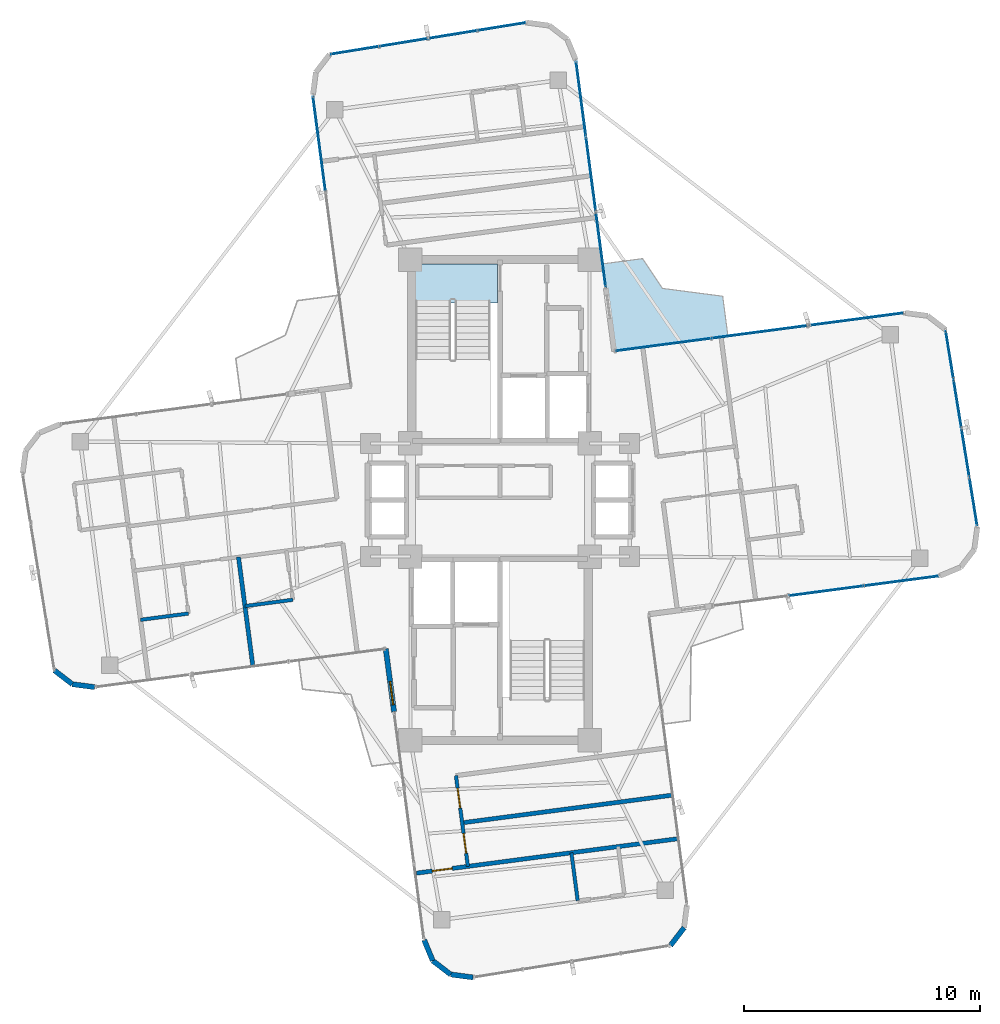
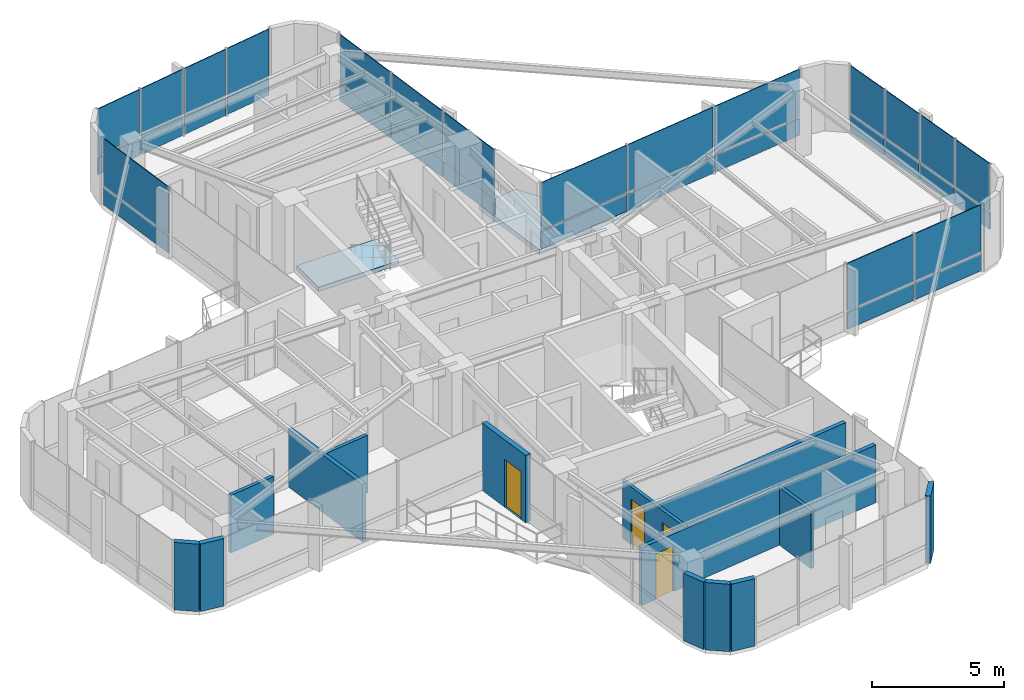
# One storey, part 18 of 22: 34 plates, 14 walls, 4 doors, 2 slabs, 4 openings, 6 elements without a shape of their own.
"""IFC4 building model written with IfcOpenShell, lengths in metres."""

import ifcopenshell
import ifcopenshell.guid

model = None  # the IFC model being written
_history = None  # IfcOwnerHistory: only IFC2X3 demands one
_inside = {}  # id of a spatial element -> (the spatial element, [elements in it])
_under = {}  # id of a project, library or spatial element -> (it, [spatial elements below it])
_declared = {}  # id of a project -> (the project, [libraries it declares])
_typed = {}  # id of a type object -> (the type object, [elements of that type])
_made_of = {}  # id of a material, layer set ... -> (it, [elements and type objects made of it])


def new_model(schema):
    """Start an empty IFC model of exactly this schema.

    Asked for "IFC4X3", IfcOpenShell would pick the latest addendum, in which some entities
    have other attributes; the version numbers below select the first issue.
    IFC2X3 requires an IfcOwnerHistory on every rooted entity: one is made here for all.
    """
    global model, _history
    if schema == "IFC4X3":
        model = ifcopenshell.file(schema_version=(4, 3, 0, 0))
    else:
        model = ifcopenshell.file(schema=schema)
    _inside.clear()
    _under.clear()
    _declared.clear()
    _typed.clear()
    _made_of.clear()
    _history = None
    if model.schema == "IFC2X3":
        org = make("IfcOrganization", Name="unknown")
        user = make(
            "IfcPersonAndOrganization",
            ThePerson=make("IfcPerson", FamilyName="unknown"),
            TheOrganization=org,
        )
        app = make(
            "IfcApplication",
            ApplicationDeveloper=org,
            Version="unknown",
            ApplicationFullName="unknown",
            ApplicationIdentifier="unknown",
        )
        _history = make(
            "IfcOwnerHistory",
            OwningUser=user,
            OwningApplication=app,
            ChangeAction="ADDED",
            CreationDate=0,
        )
    return model


def make(cls, **values):
    """One entity of the class cls with the attributes given. An attribute that is None is left unset."""
    return model.create_entity(
        cls, **{name: value for name, value in values.items() if value is not None}
    )


def rooted(cls, **values):
    """An entity with a GlobalId (a new one), such as an element, a storey or a relation."""
    return make(cls, GlobalId=ifcopenshell.guid.new(), OwnerHistory=_history, **values)


def si_unit(unit_type, name, prefix=None):
    """IfcSIUnit, for example si_unit("LENGTHUNIT", "METRE", prefix="MILLI")."""
    return make("IfcSIUnit", UnitType=unit_type, Prefix=prefix, Name=name)


def assignment(units):
    """IfcUnitAssignment: the units of a project."""
    return None if units is None else make("IfcUnitAssignment", Units=units)


def point(xyz):
    """IfcCartesianPoint."""
    return None if xyz is None else make("IfcCartesianPoint", Coordinates=xyz)


def direction(xyz):
    """IfcDirection."""
    return None if xyz is None else make("IfcDirection", DirectionRatios=xyz)


def frame(location, z_axis=None, x_axis=None):
    """IfcAxis2Placement3D, a coordinate frame: its origin and axes. An axis left out is left unset."""
    return make(
        "IfcAxis2Placement3D",
        Location=point(location),
        Axis=direction(z_axis),
        RefDirection=direction(x_axis),
    )


def frame_2d(location, x_axis=None):
    """IfcAxis2Placement2D, a coordinate frame in the plane: its origin and x axis."""
    return make(
        "IfcAxis2Placement2D", Location=point(location), RefDirection=direction(x_axis)
    )


def origin():
    """The frame at (0, 0, 0) with its axes left unset."""
    return frame((0.0, 0.0, 0.0))


def origin_2d():
    """The frame at (0, 0) in the plane with its x axis left unset."""
    return frame_2d((0.0, 0.0))


def place(relative_to, where):
    """IfcLocalPlacement: puts the frame where relative to a parent placement (None: the world)."""
    return make(
        "IfcLocalPlacement", PlacementRelTo=relative_to, RelativePlacement=where
    )


def context(
    kind, dimensions, precision=None, world=None, true_north=None, identifier=None
):
    """IfcGeometricRepresentationContext, for example the 3D "Model" context."""
    return make(
        "IfcGeometricRepresentationContext",
        ContextIdentifier=identifier,
        ContextType=kind,
        CoordinateSpaceDimension=dimensions,
        Precision=precision,
        WorldCoordinateSystem=world,
        TrueNorth=true_north,
    )


def subcontext(parent, identifier, kind, view, scale=None):
    """IfcGeometricRepresentationSubContext, for example "Body" below "Model"."""
    return make(
        "IfcGeometricRepresentationSubContext",
        ContextIdentifier=identifier,
        ContextType=kind,
        ParentContext=parent,
        TargetScale=scale,
        TargetView=view,
    )


def project(units=None, contexts=None):
    """IfcProject with its units and contexts."""
    return rooted(
        "IfcProject",
        Name="project",
        RepresentationContexts=contexts,
        UnitsInContext=assignment(units),
    )


def spatial(cls, under=None, at=None, **own):
    """A site, building, storey or space (cls), placed at a placement, below another one or the project."""
    s = rooted(cls, ObjectPlacement=at, **own)
    if under is not None:
        _under.setdefault(under.id(), (under, []))[1].append(s)
    return s


def polyline(points):
    """IfcPolyline through the points."""
    return make("IfcPolyline", Points=[point(p) for p in points])


def profile(cls, at=None, kind="AREA", **sizes):
    """A parametric profile (cls). Its sizes go by their IFC names, for example OverallWidth=200.0."""
    return make(cls, ProfileType=kind, Position=at, **sizes)


def rectangle(**sizes):
    """IfcRectangleProfileDef."""
    return profile("IfcRectangleProfileDef", **sizes)


def outline(outer, holes=None, kind="AREA"):
    """IfcArbitraryClosedProfileDef: a profile drawn as a closed curve; with holes, ...WithVoids."""
    if holes is None:
        return make("IfcArbitraryClosedProfileDef", ProfileType=kind, OuterCurve=outer)
    return make(
        "IfcArbitraryProfileDefWithVoids",
        ProfileType=kind,
        OuterCurve=outer,
        InnerCurves=holes,
    )


def extrude(swept, where, along, depth):
    """IfcExtrudedAreaSolid: the profile swept, set in the frame where, extruded along a direction by depth."""
    return make(
        "IfcExtrudedAreaSolid",
        SweptArea=swept,
        Position=where,
        ExtrudedDirection=direction(along),
        Depth=depth,
    )


def shape(context_of_items, identifier, shape_type, items):
    """IfcShapeRepresentation: the items that make up one representation, for example the "Body"."""
    return make(
        "IfcShapeRepresentation",
        ContextOfItems=context_of_items,
        RepresentationIdentifier=identifier,
        RepresentationType=shape_type,
        Items=items,
    )


def source(mapping_origin, context_of_items, identifier, shape_type, items):
    """IfcRepresentationMap: a shape defined once, which mapped items show again and again."""
    return make(
        "IfcRepresentationMap",
        MappingOrigin=mapping_origin,
        MappedRepresentation=shape(context_of_items, identifier, shape_type, items),
    )


def transform(
    local_origin,
    x_axis=None,
    y_axis=None,
    z_axis=None,
    scale=None,
    scale2=None,
    scale3=None,
    uniform=True,
):
    """IfcCartesianTransformationOperator3D, or its non-uniform kind. x_axis, y_axis, z_axis: its Axis1, 2, 3."""
    if uniform:
        return make(
            "IfcCartesianTransformationOperator3D",
            Axis1=direction(x_axis),
            Axis2=direction(y_axis),
            LocalOrigin=point(local_origin),
            Scale=scale,
            Axis3=direction(z_axis),
        )
    return make(
        "IfcCartesianTransformationOperator3DnonUniform",
        Axis1=direction(x_axis),
        Axis2=direction(y_axis),
        LocalOrigin=point(local_origin),
        Scale=scale,
        Axis3=direction(z_axis),
        Scale2=scale2,
        Scale3=scale3,
    )


def mapped(mapping_source, mapping_target):
    """IfcMappedItem: shows the shape of a source again, moved by a transform."""
    return make(
        "IfcMappedItem", MappingSource=mapping_source, MappingTarget=mapping_target
    )


def material(Name=None, Category=None):
    """IfcMaterial."""
    return make("IfcMaterial", Name=Name, Category=Category)


def layer(
    of_material, thickness, ventilated=None, Name=None, Category=None, Priority=None
):
    """IfcMaterialLayer: one layer of a wall or slab, of a material (None: an air gap)."""
    return make(
        "IfcMaterialLayer",
        Material=of_material,
        LayerThickness=thickness,
        IsVentilated=ventilated,
        Name=Name,
        Category=Category,
        Priority=Priority,
    )


def layer_set(layers, Name=None):
    """IfcMaterialLayerSet."""
    return make("IfcMaterialLayerSet", MaterialLayers=layers, LayerSetName=Name)


def made_of(thing, what):
    """Note that an element or type object is made of a material, layer set ...; save() writes the relation."""
    if what is not None:
        _made_of.setdefault(what.id(), (what, []))[1].append(thing)
    return thing


def type_object(cls, material=None, **own):
    """A type object (cls), such as IfcWallType, which elements share."""
    return made_of(rooted(cls, **own), material)


def element(
    cls,
    number,
    at=None,
    inside=None,
    cuts=None,
    type_object=None,
    material=None,
    context=None,
    identifier="Body",
    shape_type=None,
    held_by="IfcProductDefinitionShape",
    body=None,
    shapes=None,
    **own,
):
    """One element of the class cls, such as IfcWall. Its Tag is "e" and its number.

    at: its placement. inside: the storey or other place that contains it. cuts: it is an
    opening in that element (IfcRelVoidsElement). A single representation is given by context,
    identifier, shape_type and body (its items); several are given by shapes. held_by: the class
    of the entity that holds the representations. save() writes the other relations.
    """
    e = rooted(cls, Tag="e%d" % number, ObjectPlacement=at, **own)
    if body is not None:
        shapes = [shape(context, identifier, shape_type, body)]
    if shapes is not None:
        e.Representation = make(held_by, Representations=shapes)
    if inside is not None:
        _inside.setdefault(inside.id(), (inside, []))[1].append(e)
    if cuts is not None:
        rooted(
            "IfcRelVoidsElement", RelatingBuildingElement=cuts, RelatedOpeningElement=e
        )
    if type_object is not None:
        _typed.setdefault(type_object.id(), (type_object, []))[1].append(e)
    return made_of(e, material)


def fill(opening, filler):
    """IfcRelFillsElement: the door or window that sits in an opening."""
    return rooted(
        "IfcRelFillsElement",
        RelatingOpeningElement=opening,
        RelatedBuildingElement=filler,
    )


def aggregate(whole, parts):
    """IfcRelAggregates: a whole, such as a stair, and the parts it consists of."""
    return rooted("IfcRelAggregates", RelatingObject=whole, RelatedObjects=parts)


def save(model, path):
    """Write the relations noted so far, then the file.

    IfcRelAggregates (storeys below a building ...), IfcRelContainedInSpatialStructure (elements
    in a storey), IfcRelDefinesByType, IfcRelAssociatesMaterial and IfcRelDeclares: one each for
    every whole, place, type object, material and project.
    """
    for whole, parts in _under.values():
        aggregate(whole, parts)
    for where, things in _inside.values():
        rooted(
            "IfcRelContainedInSpatialStructure",
            RelatedElements=things,
            RelatingStructure=where,
        )
    for kind, things in _typed.values():
        rooted("IfcRelDefinesByType", RelatedObjects=things, RelatingType=kind)
    for what, things in _made_of.values():
        rooted("IfcRelAssociatesMaterial", RelatedObjects=things, RelatingMaterial=what)
    for by, libraries in _declared.values():
        rooted("IfcRelDeclares", RelatingContext=by, RelatedDefinitions=libraries)
    model.write(path)


model = new_model("IFC4")

# Units and contexts
model_context = context("Model", 3, precision=1e-05, world=origin(), true_north=direction((0.0, 1.0)))
body_context = subcontext(model_context, "Body", "Model", "MODEL_VIEW")
ifc_project = project(units=[si_unit("LENGTHUNIT", "METRE"), si_unit("AREAUNIT", "SQUARE_METRE"), si_unit("VOLUMEUNIT", "CUBIC_METRE"), si_unit("PLANEANGLEUNIT", "RADIAN"), si_unit("MASSUNIT", "GRAM", prefix="KILO")], contexts=[model_context])

# Site, building, storey
site_placement = place(None, origin())
site = spatial("IfcSite", under=ifc_project, at=site_placement, CompositionType="ELEMENT")
building_placement = place(site_placement, origin())
building = spatial("IfcBuilding", under=site, at=building_placement, Name="Sahyath Konkavel Grand Hotel", CompositionType="ELEMENT")
storey_placement = place(building_placement, frame((0.0, 0.0, 234.449951171875)))
storey = spatial("IfcBuildingStorey", under=building, at=storey_placement, Name="L65", CompositionType="ELEMENT", Elevation=234.449951171875)

# Slabs
ifc_material_1 = material(Name="Concrete C40/50", Category="concrete")
ifc_layer_1 = layer(ifc_material_1, 0.219970703125)
ifc_layer_set_1 = layer_set([ifc_layer_1], Name="Concrete C40/50")
slab_type_1 = type_object("IfcSlabType", Name="SLB-BALCONY-220", PredefinedType="FLOOR", material=ifc_layer_set_1)
slab_1_placement = place(storey_placement, frame((0.0, 0.0, -0.219970703125)))
element("IfcSlab", 1, at=slab_1_placement, inside=storey, type_object=slab_type_1, Name="L65 Winter-Garden Balcony NE", PredefinedType="FLOOR", context=body_context, shape_type="SweptSolid", body=[
    extrude(outline(polyline([(4.84619140625, 6.315673828125), (9.67041015625, 6.95068359375), (9.447509765625, 8.644775390625), (6.88916015625, 8.97802734375), (6.052734375, 10.240478515625), (4.358642578125, 10.017578125), (4.84619140625, 6.315673828125)])), origin(), (0.0, 0.0, 1.0), 0.219970703125),
])
ifc_layer_2 = layer(ifc_material_1, 0.199951171875)
ifc_layer_set_2 = layer_set([ifc_layer_2], Name="Concrete C40/50")
slab_type_2 = type_object("IfcSlabType", Name="SLB-STAIR-LND", PredefinedType="LANDING", material=ifc_layer_set_2)
slab_2_placement = place(storey_placement, frame((0.0, 0.0, -0.199951171875)))
element("IfcSlab", 2, at=slab_2_placement, inside=storey, type_object=slab_type_2, Name="L65 Stair ST-1 Floor Landing Slab", PredefinedType="LANDING", context=body_context, shape_type="SweptSolid", body=[
    extrude(outline(polyline([(-3.6201171875, 8.35009765625), (-0.10009765625, 8.35009765625), (-0.10009765625, 10.02001953125), (-3.6201171875, 10.02001953125), (-3.6201171875, 8.35009765625)])), origin(), (0.0, 0.0, 1.0), 0.199951171875),
])

# Curtain wall, plates
ifc_material_2 = material(Name="Anodised Bronze Aluminium & Low-E Glazing", Category="aluminium")
curtain_wall_type = type_object("IfcCurtainWallType", Name="CW-ZONE4", PredefinedType="NOTDEFINED", material=ifc_material_2)
curtain_wall_1_placement = place(storey_placement, origin())
curtain_wall_1 = element("IfcCurtainWall", 3, at=curtain_wall_1_placement, inside=storey, type_object=curtain_wall_type, Name="L65 Unitised Curtain Wall F0", PredefinedType="NOTDEFINED")
ifc_material_3 = material(Name="Warm Buff Sandstone Cladding", Category="masonry")
ifc_layer_3 = layer(ifc_material_3, 0.074951171875)
ifc_layer_set_3 = layer_set([ifc_layer_3], Name="Warm Buff Sandstone Cladding")
plate_type_1 = type_object("IfcPlateType", Name="PNL-SPANDREL-STONE", PredefinedType="SHEET", material=ifc_layer_set_3)
shared_shape_1 = source(origin(), body_context, "Body", "SweptSolid", [
    extrude(rectangle(XDim=3.144775390625, YDim=0.074951171875, at=origin_2d()), origin(), (0.0, 0.0, 1.0), 0.77001953125),
])
plate_1_placement = place(storey_placement, frame((13.82763671875, -3.857177734375, 0.0400390625), z_axis=(0.0, 0.0, 1.0), x_axis=(0.991444861374, 0.13052619222, 0.0)))
plate_1 = element("IfcPlate", 4, at=plate_1_placement, type_object=plate_type_1, Name="L65 Sandstone Relief Spandrel Panel F0-1", PredefinedType="SHEET", context=body_context, shape_type="MappedRepresentation", body=[
    mapped(shared_shape_1, transform((0.0, 0.0, 0.0), scale=1.0)),
])
plate_2_placement = place(storey_placement, frame((17.02490234375, -3.43603515625, 0.0400390625), z_axis=(0.0, 0.0, 1.0), x_axis=(0.991444861374, 0.13052619222, 0.0)))
plate_2 = element("IfcPlate", 5, at=plate_2_placement, type_object=plate_type_1, Name="L65 Sandstone Relief Spandrel Panel F0-2", PredefinedType="SHEET", context=body_context, shape_type="MappedRepresentation", body=[
    mapped(shared_shape_1, transform((0.0, 0.0, 0.0), scale=1.0)),
])

curtain_wall_2_placement = place(storey_placement, origin())
curtain_wall_2 = element("IfcCurtainWall", 6, at=curtain_wall_2_placement, inside=storey, type_object=curtain_wall_type, Name="L65 Unitised Curtain Wall F8", PredefinedType="NOTDEFINED")
plate_3_placement = place(storey_placement, frame((4.278076171875, 10.630615234375, 0.0400390625), z_axis=(0.0, 0.0, 1.0), x_axis=(-0.13052619222, 0.991444861374, 0.0)))
plate_3 = element("IfcPlate", 7, at=plate_3_placement, type_object=plate_type_1, Name="L65 Sandstone Relief Spandrel Panel F8-0", PredefinedType="SHEET", context=body_context, shape_type="MappedRepresentation", body=[
    mapped(shared_shape_1, transform((0.0, 0.0, 0.0), scale=1.0)),
])
plate_4_placement = place(storey_placement, frame((3.857177734375, 13.82763671875, 0.0400390625), z_axis=(0.0, 0.0, 1.0), x_axis=(-0.13052619222, 0.991444861374, 0.0)))
plate_4 = element("IfcPlate", 8, at=plate_4_placement, type_object=plate_type_1, Name="L65 Sandstone Relief Spandrel Panel F8-1", PredefinedType="SHEET", context=body_context, shape_type="MappedRepresentation", body=[
    mapped(shared_shape_1, transform((0.0, 0.0, 0.0), scale=1.0)),
])
plate_5_placement = place(storey_placement, frame((3.43603515625, 17.02490234375, 0.0400390625), z_axis=(0.0, 0.0, 1.0), x_axis=(-0.13052619222, 0.991444861374, 0.0)))
plate_5 = element("IfcPlate", 9, at=plate_5_placement, type_object=plate_type_1, Name="L65 Sandstone Relief Spandrel Panel F8-2", PredefinedType="SHEET", context=body_context, shape_type="MappedRepresentation", body=[
    mapped(shared_shape_1, transform((0.0, 0.0, 0.0), scale=1.0)),
])

# Plate
ifc_material_4 = material(Name="Low-E Solar Control Double Glazing", Category="glass")
ifc_layer_4 = layer(ifc_material_4, 0.035888671875)
ifc_layer_set_4 = layer_set([ifc_layer_4], Name="Low-E Solar Control Double Glazing")
plate_type_2 = type_object("IfcPlateType", Name="PNL-VISION-LOWE", PredefinedType="CURTAIN_PANEL", material=ifc_layer_set_4)
shared_shape_2 = source(origin(), body_context, "Body", "SweptSolid", [
    extrude(rectangle(XDim=3.144775390625, YDim=0.035888671875, at=origin_2d()), origin(), (0.0, 0.0, 1.0), 2.179931640625),
])
plate_6_placement = place(storey_placement, frame((13.82763671875, -3.857177734375, 0.89013671875), z_axis=(0.0, 0.0, 1.0), x_axis=(0.991444861374, 0.13052619222, 0.0)))
plate_6 = element("IfcPlate", 10, at=plate_6_placement, type_object=plate_type_2, Name="L65 Low-E Vision Glazing Panel F0-1", PredefinedType="CURTAIN_PANEL", context=body_context, shape_type="MappedRepresentation", body=[
    mapped(shared_shape_2, transform((0.0, 0.0, 0.0), scale=1.0)),
])

plate_7_placement = place(storey_placement, frame((17.02490234375, -3.43603515625, 0.89013671875), z_axis=(0.0, 0.0, 1.0), x_axis=(0.991444861374, 0.13052619222, 0.0)))
plate_7 = element("IfcPlate", 11, at=plate_7_placement, type_object=plate_type_2, Name="L65 Low-E Vision Glazing Panel F0-2", PredefinedType="CURTAIN_PANEL", context=body_context, shape_type="MappedRepresentation", body=[
    mapped(shared_shape_2, transform((0.0, 0.0, 0.0), scale=1.0)),
])

aggregate(curtain_wall_1, [plate_1, plate_6, plate_2, plate_7])

plate_8_placement = place(storey_placement, frame((4.278076171875, 10.630615234375, 0.89013671875), z_axis=(0.0, 0.0, 1.0), x_axis=(-0.13052619222, 0.991444861374, 0.0)))
plate_8 = element("IfcPlate", 12, at=plate_8_placement, type_object=plate_type_2, Name="L65 Low-E Vision Glazing Panel F8-0", PredefinedType="CURTAIN_PANEL", context=body_context, shape_type="MappedRepresentation", body=[
    mapped(shared_shape_2, transform((0.0, 0.0, 0.0), scale=1.0)),
])

plate_9_placement = place(storey_placement, frame((3.857177734375, 13.82763671875, 0.89013671875), z_axis=(0.0, 0.0, 1.0), x_axis=(-0.13052619222, 0.991444861374, 0.0)))
plate_9 = element("IfcPlate", 13, at=plate_9_placement, type_object=plate_type_2, Name="L65 Low-E Vision Glazing Panel F8-1", PredefinedType="CURTAIN_PANEL", context=body_context, shape_type="MappedRepresentation", body=[
    mapped(shared_shape_2, transform((0.0, 0.0, 0.0), scale=1.0)),
])

plate_10_placement = place(storey_placement, frame((3.43603515625, 17.02490234375, 0.89013671875), z_axis=(0.0, 0.0, 1.0), x_axis=(-0.13052619222, 0.991444861374, 0.0)))
plate_10 = element("IfcPlate", 14, at=plate_10_placement, type_object=plate_type_2, Name="L65 Low-E Vision Glazing Panel F8-2", PredefinedType="CURTAIN_PANEL", context=body_context, shape_type="MappedRepresentation", body=[
    mapped(shared_shape_2, transform((0.0, 0.0, 0.0), scale=1.0)),
])

aggregate(curtain_wall_2, [plate_3, plate_8, plate_4, plate_9, plate_5, plate_10])

# Curtain wall, plates
curtain_wall_3_placement = place(storey_placement, origin())
curtain_wall_3 = element("IfcCurtainWall", 15, at=curtain_wall_3_placement, inside=storey, type_object=curtain_wall_type, Name="L65 Unitised Curtain Wall F4", PredefinedType="NOTDEFINED")
shared_shape_3 = source(origin(), body_context, "Body", "SweptSolid", [
    extrude(rectangle(XDim=2.021728515625, YDim=0.074951171875, at=origin_2d()), origin(), (0.0, 0.0, 1.0), 0.77001953125),
])
plate_11_placement = place(storey_placement, frame((20.081787109375, -0.068115234375, 0.0400390625), z_axis=(0.0, 0.0, 1.0), x_axis=(-0.159433223018, 0.987208715216, 0.0)))
plate_11 = element("IfcPlate", 16, at=plate_11_placement, type_object=plate_type_1, Name="L65 Sandstone Relief Spandrel Panel F4-0", PredefinedType="SHEET", context=body_context, shape_type="MappedRepresentation", body=[
    mapped(shared_shape_3, transform((0.0, 0.0, 0.0), scale=1.0)),
])
plate_12_placement = place(storey_placement, frame((19.74658203125, 2.0068359375, 0.0400390625), z_axis=(0.0, 0.0, 1.0), x_axis=(-0.159433223018, 0.987208715216, 0.0)))
plate_12 = element("IfcPlate", 17, at=plate_12_placement, type_object=plate_type_1, Name="L65 Sandstone Relief Spandrel Panel F4-1", PredefinedType="SHEET", context=body_context, shape_type="MappedRepresentation", body=[
    mapped(shared_shape_3, transform((0.0, 0.0, 0.0), scale=1.0)),
])
plate_13_placement = place(storey_placement, frame((19.41162109375, 4.08154296875, 0.0400390625), z_axis=(0.0, 0.0, 1.0), x_axis=(-0.159433223018, 0.987208715216, 0.0)))
plate_13 = element("IfcPlate", 18, at=plate_13_placement, type_object=plate_type_1, Name="L65 Sandstone Relief Spandrel Panel F4-2", PredefinedType="SHEET", context=body_context, shape_type="MappedRepresentation", body=[
    mapped(shared_shape_3, transform((0.0, 0.0, 0.0), scale=1.0)),
])
plate_14_placement = place(storey_placement, frame((19.07666015625, 6.15625, 0.0400390625), z_axis=(0.0, 0.0, 1.0), x_axis=(-0.159433223018, 0.987208715216, 0.0)))
plate_14 = element("IfcPlate", 19, at=plate_14_placement, type_object=plate_type_1, Name="L65 Sandstone Relief Spandrel Panel F4-3", PredefinedType="SHEET", context=body_context, shape_type="MappedRepresentation", body=[
    mapped(shared_shape_3, transform((0.0, 0.0, 0.0), scale=1.0)),
])

curtain_wall_4_placement = place(storey_placement, origin())
curtain_wall_4 = element("IfcCurtainWall", 20, at=curtain_wall_4_placement, inside=storey, type_object=curtain_wall_type, Name="L65 Unitised Curtain Wall F12", PredefinedType="NOTDEFINED")
plate_15_placement = place(storey_placement, frame((0.068115234375, 20.081787109375, 0.0400390625), z_axis=(0.0, 0.0, 1.0), x_axis=(-0.987208715216, -0.159433223018, 0.0)))
plate_15 = element("IfcPlate", 21, at=plate_15_placement, type_object=plate_type_1, Name="L65 Sandstone Relief Spandrel Panel F12-0", PredefinedType="SHEET", context=body_context, shape_type="MappedRepresentation", body=[
    mapped(shared_shape_3, transform((0.0, 0.0, 0.0), scale=1.0)),
])
plate_16_placement = place(storey_placement, frame((-2.0068359375, 19.74658203125, 0.0400390625), z_axis=(0.0, 0.0, 1.0), x_axis=(-0.987208715216, -0.159433223018, 0.0)))
plate_16 = element("IfcPlate", 22, at=plate_16_placement, type_object=plate_type_1, Name="L65 Sandstone Relief Spandrel Panel F12-1", PredefinedType="SHEET", context=body_context, shape_type="MappedRepresentation", body=[
    mapped(shared_shape_3, transform((0.0, 0.0, 0.0), scale=1.0)),
])
plate_17_placement = place(storey_placement, frame((-4.08154296875, 19.41162109375, 0.0400390625), z_axis=(0.0, 0.0, 1.0), x_axis=(-0.987208715216, -0.159433223018, 0.0)))
plate_17 = element("IfcPlate", 23, at=plate_17_placement, type_object=plate_type_1, Name="L65 Sandstone Relief Spandrel Panel F12-2", PredefinedType="SHEET", context=body_context, shape_type="MappedRepresentation", body=[
    mapped(shared_shape_3, transform((0.0, 0.0, 0.0), scale=1.0)),
])
plate_18_placement = place(storey_placement, frame((-6.15625, 19.07666015625, 0.0400390625), z_axis=(0.0, 0.0, 1.0), x_axis=(-0.987208715216, -0.159433223018, 0.0)))
plate_18 = element("IfcPlate", 24, at=plate_18_placement, type_object=plate_type_1, Name="L65 Sandstone Relief Spandrel Panel F12-3", PredefinedType="SHEET", context=body_context, shape_type="MappedRepresentation", body=[
    mapped(shared_shape_3, transform((0.0, 0.0, 0.0), scale=1.0)),
])

# Plate
shared_shape_4 = source(origin(), body_context, "Body", "SweptSolid", [
    extrude(rectangle(XDim=2.021728515625, YDim=0.035888671875, at=origin_2d()), origin(), (0.0, 0.0, 1.0), 2.179931640625),
])
plate_19_placement = place(storey_placement, frame((20.081787109375, -0.068115234375, 0.89013671875), z_axis=(0.0, 0.0, 1.0), x_axis=(-0.159433223018, 0.987208715216, 0.0)))
plate_19 = element("IfcPlate", 25, at=plate_19_placement, type_object=plate_type_2, Name="L65 Low-E Vision Glazing Panel F4-0", PredefinedType="CURTAIN_PANEL", context=body_context, shape_type="MappedRepresentation", body=[
    mapped(shared_shape_4, transform((0.0, 0.0, 0.0), scale=1.0)),
])

plate_20_placement = place(storey_placement, frame((19.74658203125, 2.0068359375, 0.89013671875), z_axis=(0.0, 0.0, 1.0), x_axis=(-0.159433223018, 0.987208715216, 0.0)))
plate_20 = element("IfcPlate", 26, at=plate_20_placement, type_object=plate_type_2, Name="L65 Low-E Vision Glazing Panel F4-1", PredefinedType="CURTAIN_PANEL", context=body_context, shape_type="MappedRepresentation", body=[
    mapped(shared_shape_4, transform((0.0, 0.0, 0.0), scale=1.0)),
])

plate_21_placement = place(storey_placement, frame((19.41162109375, 4.08154296875, 0.89013671875), z_axis=(0.0, 0.0, 1.0), x_axis=(-0.159433223018, 0.987208715216, 0.0)))
plate_21 = element("IfcPlate", 27, at=plate_21_placement, type_object=plate_type_2, Name="L65 Low-E Vision Glazing Panel F4-2", PredefinedType="CURTAIN_PANEL", context=body_context, shape_type="MappedRepresentation", body=[
    mapped(shared_shape_4, transform((0.0, 0.0, 0.0), scale=1.0)),
])

plate_22_placement = place(storey_placement, frame((19.07666015625, 6.15625, 0.89013671875), z_axis=(0.0, 0.0, 1.0), x_axis=(-0.159433223018, 0.987208715216, 0.0)))
plate_22 = element("IfcPlate", 28, at=plate_22_placement, type_object=plate_type_2, Name="L65 Low-E Vision Glazing Panel F4-3", PredefinedType="CURTAIN_PANEL", context=body_context, shape_type="MappedRepresentation", body=[
    mapped(shared_shape_4, transform((0.0, 0.0, 0.0), scale=1.0)),
])

aggregate(curtain_wall_3, [plate_11, plate_19, plate_12, plate_20, plate_13, plate_21, plate_14, plate_22])

plate_23_placement = place(storey_placement, frame((0.068115234375, 20.081787109375, 0.89013671875), z_axis=(0.0, 0.0, 1.0), x_axis=(-0.987208715216, -0.159433223018, 0.0)))
plate_23 = element("IfcPlate", 29, at=plate_23_placement, type_object=plate_type_2, Name="L65 Low-E Vision Glazing Panel F12-0", PredefinedType="CURTAIN_PANEL", context=body_context, shape_type="MappedRepresentation", body=[
    mapped(shared_shape_4, transform((0.0, 0.0, 0.0), scale=1.0)),
])

plate_24_placement = place(storey_placement, frame((-2.0068359375, 19.74658203125, 0.89013671875), z_axis=(0.0, 0.0, 1.0), x_axis=(-0.987208715216, -0.159433223018, 0.0)))
plate_24 = element("IfcPlate", 30, at=plate_24_placement, type_object=plate_type_2, Name="L65 Low-E Vision Glazing Panel F12-1", PredefinedType="CURTAIN_PANEL", context=body_context, shape_type="MappedRepresentation", body=[
    mapped(shared_shape_4, transform((0.0, 0.0, 0.0), scale=1.0)),
])

plate_25_placement = place(storey_placement, frame((-4.08154296875, 19.41162109375, 0.89013671875), z_axis=(0.0, 0.0, 1.0), x_axis=(-0.987208715216, -0.159433223018, 0.0)))
plate_25 = element("IfcPlate", 31, at=plate_25_placement, type_object=plate_type_2, Name="L65 Low-E Vision Glazing Panel F12-2", PredefinedType="CURTAIN_PANEL", context=body_context, shape_type="MappedRepresentation", body=[
    mapped(shared_shape_4, transform((0.0, 0.0, 0.0), scale=1.0)),
])

plate_26_placement = place(storey_placement, frame((-6.15625, 19.07666015625, 0.89013671875), z_axis=(0.0, 0.0, 1.0), x_axis=(-0.987208715216, -0.159433223018, 0.0)))
plate_26 = element("IfcPlate", 32, at=plate_26_placement, type_object=plate_type_2, Name="L65 Low-E Vision Glazing Panel F12-3", PredefinedType="CURTAIN_PANEL", context=body_context, shape_type="MappedRepresentation", body=[
    mapped(shared_shape_4, transform((0.0, 0.0, 0.0), scale=1.0)),
])

aggregate(curtain_wall_4, [plate_15, plate_23, plate_16, plate_24, plate_17, plate_25, plate_18, plate_26])

# Curtain wall, plates
curtain_wall_5_placement = place(storey_placement, origin())
curtain_wall_5 = element("IfcCurtainWall", 33, at=curtain_wall_5_placement, inside=storey, type_object=curtain_wall_type, Name="L65 Unitised Curtain Wall F7", PredefinedType="NOTDEFINED")
shared_shape_5 = source(origin(), body_context, "Body", "SweptSolid", [
    extrude(rectangle(XDim=4.044677734375, YDim=0.074951171875, at=origin_2d()), origin(), (0.0, 0.0, 1.0), 0.77001953125),
])
plate_27_placement = place(storey_placement, frame((15.109130859375, 7.666748046875, 0.0400390625), z_axis=(0.0, 0.0, 1.0), x_axis=(-0.991444861374, -0.13052619222, 0.0)))
plate_27 = element("IfcPlate", 34, at=plate_27_placement, type_object=plate_type_1, Name="L65 Sandstone Relief Spandrel Panel F7-0", PredefinedType="SHEET", context=body_context, shape_type="MappedRepresentation", body=[
    mapped(shared_shape_5, transform((0.0, 0.0, 0.0), scale=1.0)),
])
plate_28_placement = place(storey_placement, frame((11.019775390625, 7.12841796875, 0.0400390625), z_axis=(0.0, 0.0, 1.0), x_axis=(-0.991444861374, -0.13052619222, 0.0)))
plate_28 = element("IfcPlate", 35, at=plate_28_placement, type_object=plate_type_1, Name="L65 Sandstone Relief Spandrel Panel F7-1", PredefinedType="SHEET", context=body_context, shape_type="MappedRepresentation", body=[
    mapped(shared_shape_5, transform((0.0, 0.0, 0.0), scale=1.0)),
])
plate_29_placement = place(storey_placement, frame((6.930419921875, 6.590087890625, 0.0400390625), z_axis=(0.0, 0.0, 1.0), x_axis=(-0.991444861374, -0.13052619222, 0.0)))
plate_29 = element("IfcPlate", 36, at=plate_29_placement, type_object=plate_type_1, Name="L65 Sandstone Relief Spandrel Panel F7-2", PredefinedType="SHEET", context=body_context, shape_type="MappedRepresentation", body=[
    mapped(shared_shape_5, transform((0.0, 0.0, 0.0), scale=1.0)),
])

# Curtain wall, plate
curtain_wall_6_placement = place(storey_placement, origin())
curtain_wall_6 = element("IfcCurtainWall", 37, at=curtain_wall_6_placement, inside=storey, type_object=curtain_wall_type, Name="L65 Unitised Curtain Wall F15", PredefinedType="NOTDEFINED")
plate_30_placement = place(storey_placement, frame((-7.666748046875, 15.109130859375, 0.0400390625), z_axis=(0.0, 0.0, 1.0), x_axis=(0.13052619222, -0.991444861374, 0.0)))
plate_30 = element("IfcPlate", 38, at=plate_30_placement, type_object=plate_type_1, Name="L65 Sandstone Relief Spandrel Panel F15-0", PredefinedType="SHEET", context=body_context, shape_type="MappedRepresentation", body=[
    mapped(shared_shape_5, transform((0.0, 0.0, 0.0), scale=1.0)),
])

# Plate
shared_shape_6 = source(origin(), body_context, "Body", "SweptSolid", [
    extrude(rectangle(XDim=4.044677734375, YDim=0.035888671875, at=origin_2d()), origin(), (0.0, 0.0, 1.0), 2.179931640625),
])
plate_31_placement = place(storey_placement, frame((15.109130859375, 7.666748046875, 0.89013671875), z_axis=(0.0, 0.0, 1.0), x_axis=(-0.991444861374, -0.13052619222, 0.0)))
plate_31 = element("IfcPlate", 39, at=plate_31_placement, type_object=plate_type_2, Name="L65 Low-E Vision Glazing Panel F7-0", PredefinedType="CURTAIN_PANEL", context=body_context, shape_type="MappedRepresentation", body=[
    mapped(shared_shape_6, transform((0.0, 0.0, 0.0), scale=1.0)),
])

plate_32_placement = place(storey_placement, frame((11.019775390625, 7.12841796875, 0.89013671875), z_axis=(0.0, 0.0, 1.0), x_axis=(-0.991444861374, -0.13052619222, 0.0)))
plate_32 = element("IfcPlate", 40, at=plate_32_placement, type_object=plate_type_2, Name="L65 Low-E Vision Glazing Panel F7-1", PredefinedType="CURTAIN_PANEL", context=body_context, shape_type="MappedRepresentation", body=[
    mapped(shared_shape_6, transform((0.0, 0.0, 0.0), scale=1.0)),
])

plate_33_placement = place(storey_placement, frame((6.930419921875, 6.590087890625, 0.89013671875), z_axis=(0.0, 0.0, 1.0), x_axis=(-0.991444861374, -0.13052619222, 0.0)))
plate_33 = element("IfcPlate", 41, at=plate_33_placement, type_object=plate_type_2, Name="L65 Low-E Vision Glazing Panel F7-2", PredefinedType="CURTAIN_PANEL", context=body_context, shape_type="MappedRepresentation", body=[
    mapped(shared_shape_6, transform((0.0, 0.0, 0.0), scale=1.0)),
])

aggregate(curtain_wall_5, [plate_27, plate_31, plate_28, plate_32, plate_29, plate_33])

plate_34_placement = place(storey_placement, frame((-7.666748046875, 15.109130859375, 0.89013671875), z_axis=(0.0, 0.0, 1.0), x_axis=(0.13052619222, -0.991444861374, 0.0)))
plate_34 = element("IfcPlate", 42, at=plate_34_placement, type_object=plate_type_2, Name="L65 Low-E Vision Glazing Panel F15-0", PredefinedType="CURTAIN_PANEL", context=body_context, shape_type="MappedRepresentation", body=[
    mapped(shared_shape_6, transform((0.0, 0.0, 0.0), scale=1.0)),
])

aggregate(curtain_wall_6, [plate_30, plate_34])

# Walls
ifc_material_5 = material(Name="Warm Buff Sandstone Insulated Concrete C40/50", Category="masonry")
ifc_layer_5 = layer(ifc_material_5, 0.219970703125)
ifc_layer_set_5 = layer_set([ifc_layer_5], Name="Warm Buff Sandstone Insulated Concrete C40/50")
wall_type_1 = type_object("IfcWallType", Name="WLL-BALC-THRESH", PredefinedType="STANDARD", material=ifc_layer_set_5)
wall_1_placement = place(storey_placement, frame((-18.902587890625, -7.233154296875, 0.0), z_axis=(0.0, 0.0, 1.0), x_axis=(0.793249178392, -0.608897151398, 0.0)))
element("IfcWall", 43, at=wall_1_placement, inside=storey, type_object=wall_type_1, Name="L65 Rounded Corner Sandstone Pier 21", PredefinedType="STANDARD", context=body_context, shape_type="SweptSolid", body=[
    extrude(rectangle(XDim=0.95751953125, YDim=0.219970703125, at=frame_2d((0.478759765625, 0.0))), origin(), (0.0, 0.0, 1.0), 3.110107421875),
])
wall_2_placement = place(storey_placement, frame((-18.14306640625, -7.816162109375, 0.0), z_axis=(0.0, 0.0, 1.0), x_axis=(0.991444747987, -0.130527053476, 0.0)))
element("IfcWall", 44, at=wall_2_placement, inside=storey, type_object=wall_type_1, Name="L65 Rounded Corner Sandstone Pier 22", PredefinedType="STANDARD", context=body_context, shape_type="SweptSolid", body=[
    extrude(rectangle(XDim=0.957763671875, YDim=0.219970703125, at=frame_2d((0.47900390625, 0.0))), origin(), (0.0, 0.0, 1.0), 3.110107421875),
])

# Wall, opening, door
wall_3_placement = place(storey_placement, frame((-4.84619140625, -6.315673828125, 0.0), z_axis=(0.0, 0.0, 1.0), x_axis=(0.130576147498, -0.991438283356, 0.0)))
wall_3 = element("IfcWall", 45, at=wall_3_placement, inside=storey, type_object=wall_type_1, Name="L65 Winter-Garden Threshold Wall 24", PredefinedType="STANDARD", context=body_context, shape_type="SweptSolid", body=[
    extrude(rectangle(XDim=2.699951171875, YDim=0.219970703125, at=frame_2d((1.35009765625, 0.0))), origin(), (0.0, 0.0, 1.0), 3.110107421875),
])
opening_1_placement = place(wall_3_placement, frame((1.39990234375, 0.0, 0.0)))
opening_1 = element("IfcOpeningElement", 46, at=opening_1_placement, cuts=wall_3, Name="Opening D-TR1", PredefinedType="OPENING", context=body_context, shape_type="SweptSolid", body=[
    extrude(rectangle(XDim=1.0, YDim=2.199951171875, at=frame_2d((0.5, 1.10009765625))), frame((0.0, 0.1201171875, 0.0), z_axis=(0.0, -1.0, 0.0), x_axis=(1.0, 0.0, 0.0)), (0.0, 0.0, 1.0), 0.239990234375),
])
door_type_1 = type_object("IfcDoorType", Name="DR-TERRACE-1000", OperationType="NOTDEFINED", PredefinedType="DOOR", material=ifc_material_2)
shared_shape_7 = source(origin(), body_context, "Body", "SweptSolid", [
    extrude(rectangle(XDim=1.0, YDim=0.050048828125, at=origin_2d()), origin(), (0.0, 0.0, 1.0), 2.199951171875),
])
door_1_placement = place(opening_1_placement, frame((0.5, 0.0, 0.0)))
door_1 = element("IfcDoor", 47, at=door_1_placement, inside=storey, type_object=door_type_1, Name="L65 Winter-Garden Terrace Door 24", OperationType="SINGLE_SWING_LEFT", OverallHeight=2.199951171875, OverallWidth=1.0, PredefinedType="DOOR", context=body_context, shape_type="MappedRepresentation", body=[
    mapped(shared_shape_7, transform((0.0, 0.0, 0.0), scale=1.0)),
])
fill(opening_1, door_1)

# Walls
wall_4_placement = place(storey_placement, frame((-3.220458984375, -18.6630859375, 0.0), z_axis=(0.0, 0.0, 1.0), x_axis=(0.382659506909, -0.923889442397, 0.0)))
element("IfcWall", 48, at=wall_4_placement, inside=storey, type_object=wall_type_1, Name="L65 Rounded Corner Sandstone Pier 25", PredefinedType="STANDARD", context=body_context, shape_type="SweptSolid", body=[
    extrude(rectangle(XDim=0.957763671875, YDim=0.219970703125, at=frame_2d((0.47900390625, 0.0))), origin(), (0.0, 0.0, 1.0), 3.110107421875),
])
for number, where, z_axis, x_axis, name in (
    (49, (-2.85400390625, -19.5478515625, 0.0), (0.0, 0.0, 1.0), (0.793466811674, -0.60861352168, 0.0), "L65 Rounded Corner Sandstone Pier 26"),
    (50, (-2.09423828125, -20.130615234375, 0.0), (0.0, 0.0, 1.0), (0.991440402921, -0.13056005306, 0.0), "L65 Rounded Corner Sandstone Pier 27"),
    (51, (7.233154296875, -18.902587890625, 0.0), (0.0, 0.0, 1.0), (0.608897151398, 0.793249178392, 0.0), "L65 Rounded Corner Sandstone Pier 29"),
):
    element("IfcWall", number, at=place(storey_placement, frame(where, z_axis=z_axis, x_axis=x_axis)), inside=storey, type_object=wall_type_1, Name=name, PredefinedType="STANDARD", context=body_context, shape_type="SweptSolid", body=[
        extrude(rectangle(XDim=0.95751953125, YDim=0.219970703125, at=frame_2d((0.478759765625, 0.0))), origin(), (0.0, 0.0, 1.0), 3.110107421875),
    ])
ifc_material_6 = material(Name="Twin-Stud Acoustic Gypsum Plasterboard Partition")
ifc_layer_6 = layer(ifc_material_6, 0.179931640625)
ifc_layer_set_6 = layer_set([ifc_layer_6], Name="Twin-Stud Acoustic Gypsum Plasterboard Partition")
wall_type_2 = type_object("IfcWallType", Name="WLL-DEMISE-180", PredefinedType="PARTITIONING", material=ifc_layer_set_6)
wall_5_placement = place(storey_placement, frame((-11.09521484375, -2.4189453125, 0.0), z_axis=(0.0, 0.0, 1.0), x_axis=(0.130536371683, -0.991443521169, 0.0)))
element("IfcWall", 52, at=wall_5_placement, inside=storey, type_object=wall_type_2, Name="L65 Partition W-W4L1-DEM", PredefinedType="PARTITIONING", context=body_context, shape_type="SweptSolid", body=[
    extrude(rectangle(XDim=4.62890625, YDim=0.179931640625, at=frame_2d((2.314453125, 0.0))), origin(), (0.0, 0.0, 1.0), 2.66015625),
])
wall_6_placement = place(storey_placement, frame((-1.60498046875, -13.69580078125, 0.0), z_axis=(0.0, 0.0, 1.0), x_axis=(0.99144223206, 0.130546162284, 0.0)))
element("IfcWall", 53, at=wall_6_placement, inside=storey, type_object=wall_type_2, Name="L65 Partition S-SSL6-DEM", PredefinedType="PARTITIONING", context=body_context, shape_type="SweptSolid", body=[
    extrude(rectangle(XDim=8.9580078125, YDim=0.179931640625, at=frame_2d((4.47900390625, 0.0))), origin(), (0.0, 0.0, 1.0), 2.66015625),
])

# Wall, opening, door
wall_7_placement = place(storey_placement, frame((-3.54296875, -15.830810546875, 0.0), z_axis=(0.0, 0.0, 1.0), x_axis=(0.991446101459, 0.130516772493, 0.0)))
wall_7 = element("IfcWall", 54, at=wall_7_placement, inside=storey, type_object=wall_type_2, Name="L65 Partition S-STIP-END", PredefinedType="PARTITIONING", context=body_context, shape_type="SweptSolid", body=[
    extrude(rectangle(XDim=11.157958984375, YDim=0.179931640625, at=frame_2d((5.5791015625, 0.0))), origin(), (0.0, 0.0, 1.0), 2.66015625),
])
opening_2_placement = place(wall_7_placement, frame((0.675048828125, 0.0, 0.0)))
opening_2 = element("IfcOpeningElement", 55, at=opening_2_placement, cuts=wall_7, Name="Opening D-F06D", PredefinedType="OPENING", context=body_context, shape_type="SweptSolid", body=[
    extrude(rectangle(XDim=0.85009765625, YDim=2.10009765625, at=frame_2d((0.425048828125, 1.050048828125))), frame((0.0, 0.10009765625, 0.0), z_axis=(0.0, -1.0, 0.0), x_axis=(1.0, 0.0, 0.0)), (0.0, 0.0, 1.0), 0.199951171875),
])
ifc_material_7 = material(Name="Fire-Rated Shaft Access Door")
door_type_2 = type_object("IfcDoorType", Name="DR-FD60-850", OperationType="NOTDEFINED", PredefinedType="DOOR", material=ifc_material_7)
shared_shape_8 = source(origin(), body_context, "Body", "SweptSolid", [
    extrude(rectangle(XDim=0.85009765625, YDim=0.050048828125, at=origin_2d()), origin(), (0.0, 0.0, 1.0), 2.10009765625),
])
door_2_placement = place(opening_2_placement, frame((0.425048828125, 0.0, 0.0)))
door_2 = element("IfcDoor", 56, at=door_2_placement, inside=storey, type_object=door_type_2, Name="L65 Door S-STIP-ED", OperationType="SINGLE_SWING_RIGHT", OverallHeight=2.10009765625, OverallWidth=0.85009765625, PredefinedType="DOOR", context=body_context, shape_type="MappedRepresentation", body=[
    mapped(shared_shape_8, transform((0.0, 0.0, 0.0), scale=1.0)),
])
fill(opening_2, door_2)

# Walls
ifc_material_8 = material(Name="Fire-Rated Gypsum Plasterboard Partition")
ifc_layer_7 = layer(ifc_material_8, 0.14990234375)
ifc_layer_set_7 = layer_set([ifc_layer_7], Name="Fire-Rated Gypsum Plasterboard Partition")
wall_type_3 = type_object("IfcWallType", Name="WLL-PART-150", PredefinedType="PARTITIONING", material=ifc_layer_set_7)
wall_8_placement = place(storey_placement, frame((-8.78857421875, -4.2333984375, 0.0), z_axis=(0.0, 0.0, 1.0), x_axis=(-0.991444969909, -0.13052536781, 0.0)))
element("IfcWall", 57, at=wall_8_placement, inside=storey, type_object=wall_type_3, Name="L65 Partition W-W4L1-BF", PredefinedType="PARTITIONING", context=body_context, shape_type="SweptSolid", body=[
    extrude(rectangle(XDim=2.050048828125, YDim=0.14990234375, at=frame_2d((1.02490234375, 0.0))), origin(), (0.0, 0.0, 1.0), 2.66015625),
])
wall_9_placement = place(storey_placement, frame((-13.21728515625, -4.81640625, 0.0), z_axis=(0.0, 0.0, 1.0), x_axis=(-0.991446998513, -0.130509958008, 0.0)))
element("IfcWall", 58, at=wall_9_placement, inside=storey, type_object=wall_type_3, Name="L65 Partition W-W4L2-BF", PredefinedType="PARTITIONING", context=body_context, shape_type="SweptSolid", body=[
    extrude(rectangle(XDim=2.05029296875, YDim=0.14990234375, at=frame_2d((1.025146484375, 0.0))), origin(), (0.0, 0.0, 1.0), 2.66015625),
])

# Wall, openings, doors
wall_10_placement = place(storey_placement, frame((-1.86865234375, -11.69384765625, 0.0), z_axis=(0.0, 0.0, 1.0), x_axis=(0.130524447278, -0.991445091098, 0.0)))
wall_10 = element("IfcWall", 59, at=wall_10_placement, inside=storey, type_object=wall_type_3, Name="L65 Partition S-G6W", PredefinedType="PARTITIONING", context=body_context, shape_type="SweptSolid", body=[
    extrude(rectangle(XDim=3.883056640625, YDim=0.14990234375, at=frame_2d((1.94140625, 0.0))), origin(), (0.0, 0.0, 1.0), 2.66015625),
])
opening_3_placement = place(wall_10_placement, frame((0.534912109375, 0.0, 0.0)))
opening_3 = element("IfcOpeningElement", 60, at=opening_3_placement, cuts=wall_10, Name="Opening D-F06D", PredefinedType="OPENING", context=body_context, shape_type="SweptSolid", body=[
    extrude(rectangle(XDim=0.85009765625, YDim=2.10009765625, at=frame_2d((0.425048828125, 1.050048828125))), frame((0.0, 0.0849609375, 0.0), z_axis=(0.0, -1.0, 0.0), x_axis=(1.0, 0.0, 0.0)), (0.0, 0.0, 1.0), 0.169921875),
])
opening_4_placement = place(wall_10_placement, frame((2.47607421875, 0.0, 0.0)))
opening_4 = element("IfcOpeningElement", 61, at=opening_4_placement, cuts=wall_10, Name="Opening D-F06D", PredefinedType="OPENING", context=body_context, shape_type="SweptSolid", body=[
    extrude(rectangle(XDim=0.85009765625, YDim=2.10009765625, at=frame_2d((0.425048828125, 1.050048828125))), frame((0.0, 0.0849609375, 0.0), z_axis=(0.0, -1.0, 0.0), x_axis=(1.0, 0.0, 0.0)), (0.0, 0.0, 1.0), 0.169921875),
])
door_3_placement = place(opening_3_placement, frame((0.425048828125, 0.0, 0.0)))
door_3 = element("IfcDoor", 62, at=door_3_placement, inside=storey, type_object=door_type_2, Name="L65 Door S-SSL6-D", OperationType="SINGLE_SWING_LEFT", OverallHeight=2.10009765625, OverallWidth=0.85009765625, PredefinedType="DOOR", context=body_context, shape_type="MappedRepresentation", body=[
    mapped(shared_shape_8, transform((0.0, 0.0, 0.0), scale=1.0)),
])
fill(opening_3, door_3)
door_4_placement = place(opening_4_placement, frame((0.425048828125, 0.0, 0.0)))
door_4 = element("IfcDoor", 63, at=door_4_placement, inside=storey, type_object=door_type_2, Name="L65 Door S-SD6-D", OperationType="SINGLE_SWING_RIGHT", OverallHeight=2.10009765625, OverallWidth=0.85009765625, PredefinedType="DOOR", context=body_context, shape_type="MappedRepresentation", body=[
    mapped(shared_shape_8, transform((0.0, 0.0, 0.0), scale=1.0)),
])
fill(opening_4, door_4)

# Wall
wall_11_placement = place(storey_placement, frame((3.029296875, -14.965576171875, 0.0), z_axis=(0.0, 0.0, 1.0), x_axis=(0.13052536781, -0.991444969909, 0.0)))
element("IfcWall", 64, at=wall_11_placement, inside=storey, type_object=wall_type_3, Name="L65 Partition S-STIP-BS", PredefinedType="PARTITIONING", context=body_context, shape_type="SweptSolid", body=[
    extrude(rectangle(XDim=2.050048828125, YDim=0.14990234375, at=frame_2d((1.02490234375, 0.0))), origin(), (0.0, 0.0, 1.0), 2.66015625),
])

save(model, "model.ifc")
